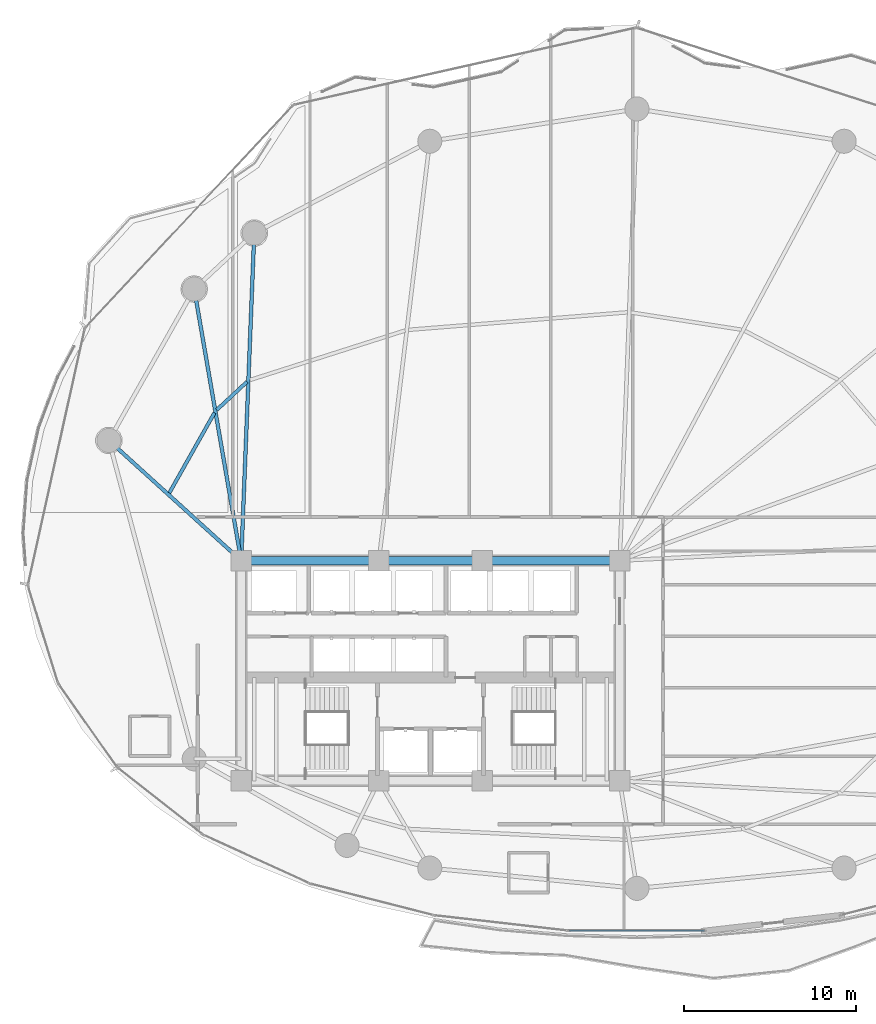
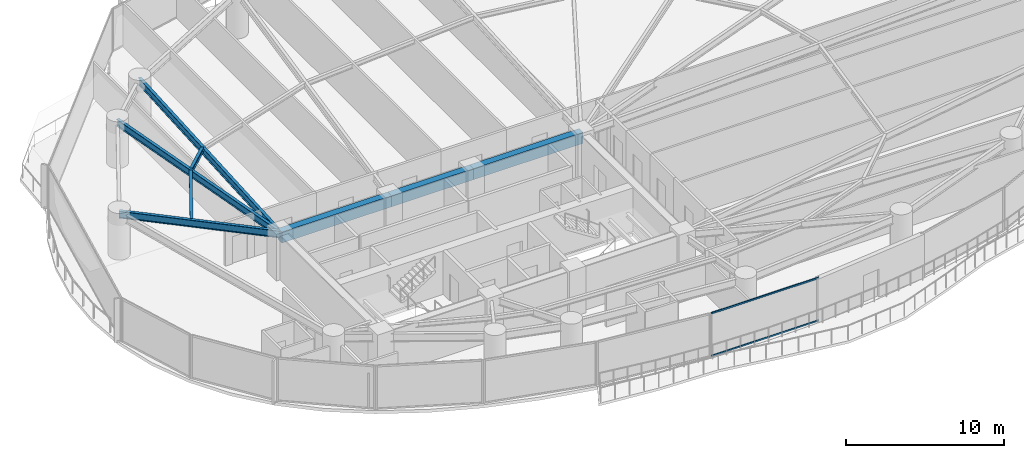
# One storey, part 9 of 33: 8 beams, 2 members, 1 element without a shape of its own.
"""IFC4 building model written with IfcOpenShell, lengths in metres."""

from ifc_helpers import new_model, si_unit, direction, frame, origin, origin_2d, place, context, subcontext, project, spatial, rectangle, hollow_rectangle, i_section, extrude, material, layer, layer_set, material_profile, profile_set, type_object, element, aggregate, save


model = new_model("IFC4")

# Units and contexts
model_context = context("Model", 3, precision=1e-05, world=origin(), true_north=direction((0.0, 1.0)))
body_context = subcontext(model_context, "Body", "Model", "MODEL_VIEW")
ifc_project = project(units=[si_unit("LENGTHUNIT", "METRE"), si_unit("AREAUNIT", "SQUARE_METRE"), si_unit("VOLUMEUNIT", "CUBIC_METRE"), si_unit("PLANEANGLEUNIT", "RADIAN"), si_unit("MASSUNIT", "GRAM", prefix="KILO")], contexts=[model_context])

# Site, building, storey
site_placement = place(None, origin())
site = spatial("IfcSite", under=ifc_project, at=site_placement, CompositionType="ELEMENT")
building_placement = place(site_placement, origin())
building = spatial("IfcBuilding", under=site, at=building_placement, Name="Kazevale Care Tower and Concert Hall", CompositionType="ELEMENT")
storey_placement = place(building_placement, frame((0.0, 0.0, 49.199951171875)))
storey = spatial("IfcBuildingStorey", under=building, at=storey_placement, Name="L12", CompositionType="ELEMENT", Elevation=49.199951171875)

# Curtain wall, members
ifc_material_1 = material(Name="Aluminium 6063-T6 and Low-E Glass", Category="aluminium")
ifc_layer = layer(ifc_material_1, 0.179931640625)
ifc_layer_set = layer_set([ifc_layer], Name="Aluminium 6063-T6 and Low-E Glass")
curtain_wall_type = type_object("IfcCurtainWallType", Name="Sheltered Concave Balcony Curtain Wall CW-5", PredefinedType="NOTDEFINED", material=ifc_layer_set)
curtain_wall_placement = place(storey_placement, origin())
curtain_wall = element("IfcCurtainWall", 1, at=curtain_wall_placement, inside=storey, type_object=curtain_wall_type, Name="cw:L12:f06", PredefinedType="NOTDEFINED")
ifc_material_2 = material(Name="Aluminium 6063-T6", Category="aluminium")
ifc_material_profile_1 = material_profile(ifc_material_2, hollow_rectangle(XDim=0.074951171875, YDim=0.1201171875, WallThickness=0.00390625, at=origin_2d()), Name="ALU75x120x4")
ifc_profile_set_1 = profile_set([ifc_material_profile_1], Name="Aluminium 6063-T6")
member_type = type_object("IfcMemberType", Name="CW-5 Transom ALU75x120x4", PredefinedType="USERDEFINED", material=ifc_profile_set_1)
member_1_placement = place(storey_placement, frame((48.923095703125, 14.889892578125, 0.03759765625), z_axis=(-1.0, 0.0, 0.0), x_axis=(0.0, -1.0, 0.0)))
member_1 = element("IfcMember", 2, at=member_1_placement, type_object=member_type, Name="CW-5 transom 1.1", ObjectType="TRANSOM", PredefinedType="USERDEFINED", context=body_context, shape_type="SweptSolid", body=[
    extrude(hollow_rectangle(XDim=0.074951171875, YDim=0.1201171875, WallThickness=0.00390625, at=origin_2d()), origin(), (0.0, 0.0, 1.0), 7.84619140625),
])
member_2_placement = place(storey_placement, frame((48.923095703125, 14.889892578125, 3.322509765625), z_axis=(-1.0, 0.0, 0.0), x_axis=(0.0, -1.0, 0.0)))
member_2 = element("IfcMember", 3, at=member_2_placement, type_object=member_type, Name="CW-5 transom 1.2", ObjectType="TRANSOM", PredefinedType="USERDEFINED", context=body_context, shape_type="SweptSolid", body=[
    extrude(hollow_rectangle(XDim=0.074951171875, YDim=0.1201171875, WallThickness=0.00390625, at=origin_2d()), origin(), (0.0, 0.0, 1.0), 7.84619140625),
])
aggregate(curtain_wall, [member_1, member_2])

# Beams
ifc_material_3 = material(Name="Concrete C60", Category="concrete")
ifc_material_profile_2 = material_profile(ifc_material_3, rectangle(XDim=0.5, YDim=0.85009765625, at=origin_2d()), Name="RC-B500x850")
ifc_profile_set_2 = profile_set([ifc_material_profile_2], Name="Concrete C60")
beam_type_1 = type_object("IfcBeamType", Name="Core Coupling Beam RC500x850", PredefinedType="LINTEL", material=ifc_profile_set_2)
beam_1_placement = place(storey_placement, frame((44.0, 36.39990234375, 2.93505859375), z_axis=(-1.0, 0.0, 0.0), x_axis=(0.0, -1.0, 0.0)))
element("IfcBeam", 4, at=beam_1_placement, inside=storey, type_object=beam_type_1, Name="beam:L12:coretie:5", PredefinedType="LINTEL", context=body_context, shape_type="SweptSolid", body=[
    extrude(rectangle(XDim=0.5, YDim=0.85009765625, at=origin_2d()), origin(), (0.0, 0.0, 1.0), 8.0),
])
beam_2_placement = place(storey_placement, frame((36.0, 36.39990234375, 2.93505859375), z_axis=(-1.0, 0.0, 0.0), x_axis=(0.0, -1.0, 0.0)))
element("IfcBeam", 5, at=beam_2_placement, inside=storey, type_object=beam_type_1, Name="beam:L12:coretie:6", PredefinedType="LINTEL", context=body_context, shape_type="SweptSolid", body=[
    extrude(rectangle(XDim=0.5, YDim=0.85009765625, at=origin_2d()), origin(), (0.0, 0.0, 1.0), 6.0),
])
beam_3_placement = place(storey_placement, frame((30.0, 36.39990234375, 2.93505859375), z_axis=(-1.0, 0.0, 0.0), x_axis=(0.0, -1.0, 0.0)))
element("IfcBeam", 6, at=beam_3_placement, inside=storey, type_object=beam_type_1, Name="beam:L12:coretie:7", PredefinedType="LINTEL", context=body_context, shape_type="SweptSolid", body=[
    extrude(rectangle(XDim=0.5, YDim=0.85009765625, at=origin_2d()), origin(), (0.0, 0.0, 1.0), 8.0),
])
ifc_material_4 = material(Name="Steel ASTM A572 Gr 50", Category="steel")
ifc_material_profile_3 = material_profile(ifc_material_4, i_section(OverallWidth=0.2119140625, OverallDepth=0.5439453125, WebThickness=0.01318359375, FlangeThickness=0.021240234375, at=origin_2d()), Name="W530x123")
ifc_profile_set_3 = profile_set([ifc_material_profile_3], Name="Steel ASTM A572 Gr 50")
beam_type_2 = type_object("IfcBeamType", Name="Radial Floor Girder W530x123", PredefinedType="BEAM", material=ifc_profile_set_3)
beam_4_placement = place(storey_placement, frame((22.0, 36.39990234375, 3.088134765625), z_axis=(0.039905581428, 0.999203455044, 0.0), x_axis=(-0.999203455044, 0.039905581428, 0.0)))
element("IfcBeam", 7, at=beam_4_placement, inside=storey, type_object=beam_type_2, Name="beam:L12:rad:07", PredefinedType="BEAM", context=body_context, shape_type="SweptSolid", body=[
    extrude(i_section(OverallWidth=0.2119140625, OverallDepth=0.5439453125, WebThickness=0.01318359375, FlangeThickness=0.021240234375, at=origin_2d()), origin(), (0.0, 0.0, 1.0), 19.045166015625),
])
beam_5_placement = place(storey_placement, frame((22.0, 36.39990234375, 3.088134765625), z_axis=(-0.170469986865, 0.985362868987, 0.0), x_axis=(-0.985362868987, -0.170469986865, 0.0)))
element("IfcBeam", 8, at=beam_5_placement, inside=storey, type_object=beam_type_2, Name="beam:L12:rad:08", PredefinedType="BEAM", context=body_context, shape_type="SweptSolid", body=[
    extrude(i_section(OverallWidth=0.2119140625, OverallDepth=0.5439453125, WebThickness=0.01318359375, FlangeThickness=0.021240234375, at=origin_2d()), origin(), (0.0, 0.0, 1.0), 16.014404296875),
])
beam_6_placement = place(storey_placement, frame((22.0, 36.39990234375, 3.088134765625), z_axis=(-0.740461073653, 0.672099247436, 0.0), x_axis=(-0.672099247436, -0.740461073653, 0.0)))
element("IfcBeam", 9, at=beam_6_placement, inside=storey, type_object=beam_type_2, Name="beam:L12:rad:09", PredefinedType="BEAM", context=body_context, shape_type="SweptSolid", body=[
    extrude(i_section(OverallWidth=0.2119140625, OverallDepth=0.5439453125, WebThickness=0.01318359375, FlangeThickness=0.021240234375, at=origin_2d()), origin(), (0.0, 0.0, 1.0), 10.38525390625),
])
ifc_material_profile_4 = material_profile(ifc_material_4, i_section(OverallWidth=0.205078125, OverallDepth=0.35400390625, WebThickness=0.009521484375, FlangeThickness=0.016845703125, at=origin_2d()), Name="W360x79")
ifc_profile_set_4 = profile_set([ifc_material_profile_4], Name="Steel ASTM A572 Gr 50")
beam_type_3 = type_object("IfcBeamType", Name="Secondary Floor Joist W360x79", PredefinedType="JOIST", material=ifc_profile_set_4)
beam_7_placement = place(storey_placement, frame((22.341064453125, 46.794921875, 3.18310546875), z_axis=(-0.73194965424, -0.68135871878, 0.0), x_axis=(0.68135871878, -0.73194965424, 0.0)))
element("IfcBeam", 10, at=beam_7_placement, inside=storey, type_object=beam_type_3, Name="beam:L12:joist:07", PredefinedType="JOIST", context=body_context, shape_type="SweptSolid", body=[
    extrude(i_section(OverallWidth=0.205078125, OverallDepth=0.35400390625, WebThickness=0.009521484375, FlangeThickness=0.016845703125, at=origin_2d()), origin(), (0.0, 0.0, 1.0), 2.412841796875),
])
beam_8_placement = place(storey_placement, frame((20.447021484375, 44.988037109375, 3.18310546875), z_axis=(-0.490956987312, -0.871183813331, 0.0), x_axis=(0.871183813331, -0.490956987312, 0.0)))
element("IfcBeam", 11, at=beam_8_placement, inside=storey, type_object=beam_type_3, Name="beam:L12:joist:08", PredefinedType="JOIST", context=body_context, shape_type="SweptSolid", body=[
    extrude(i_section(OverallWidth=0.205078125, OverallDepth=0.35400390625, WebThickness=0.009521484375, FlangeThickness=0.016845703125, at=origin_2d()), origin(), (0.0, 0.0, 1.0), 5.3466796875),
])

save(model, "model.ifc")
